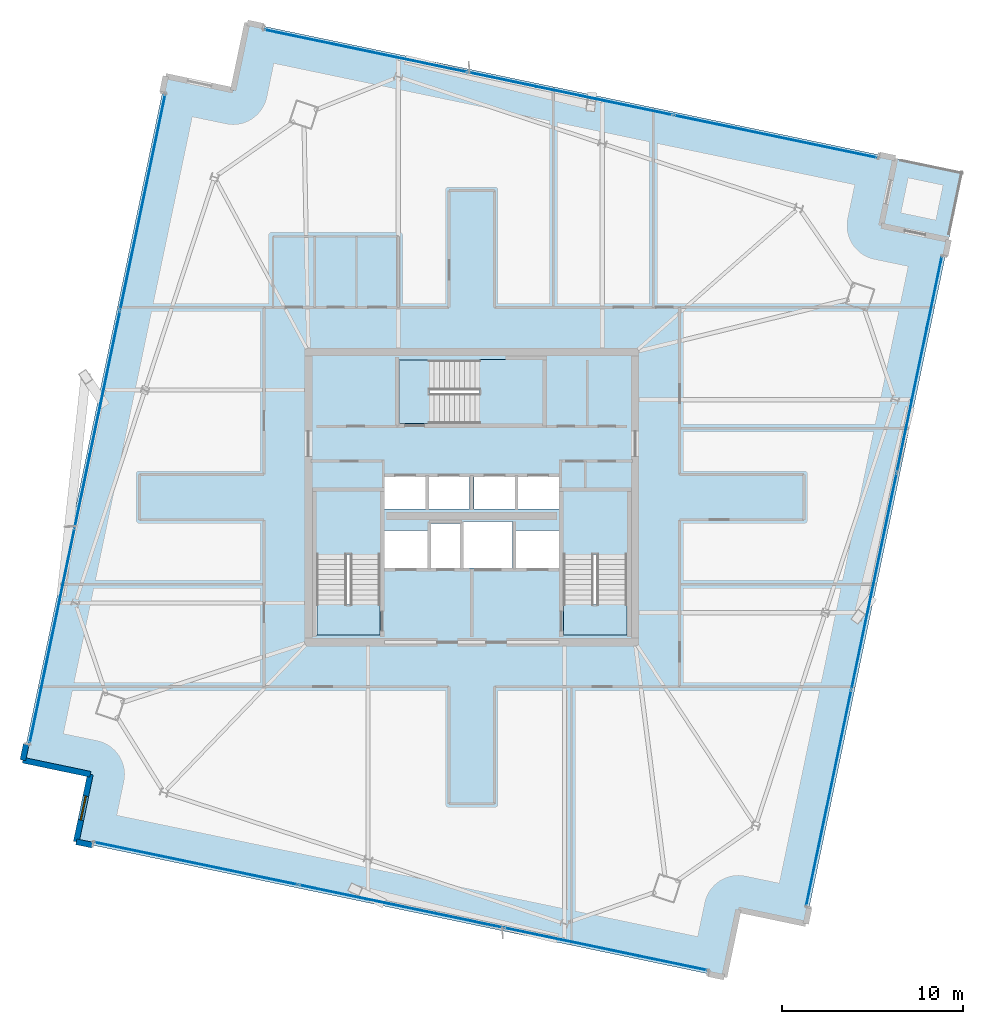
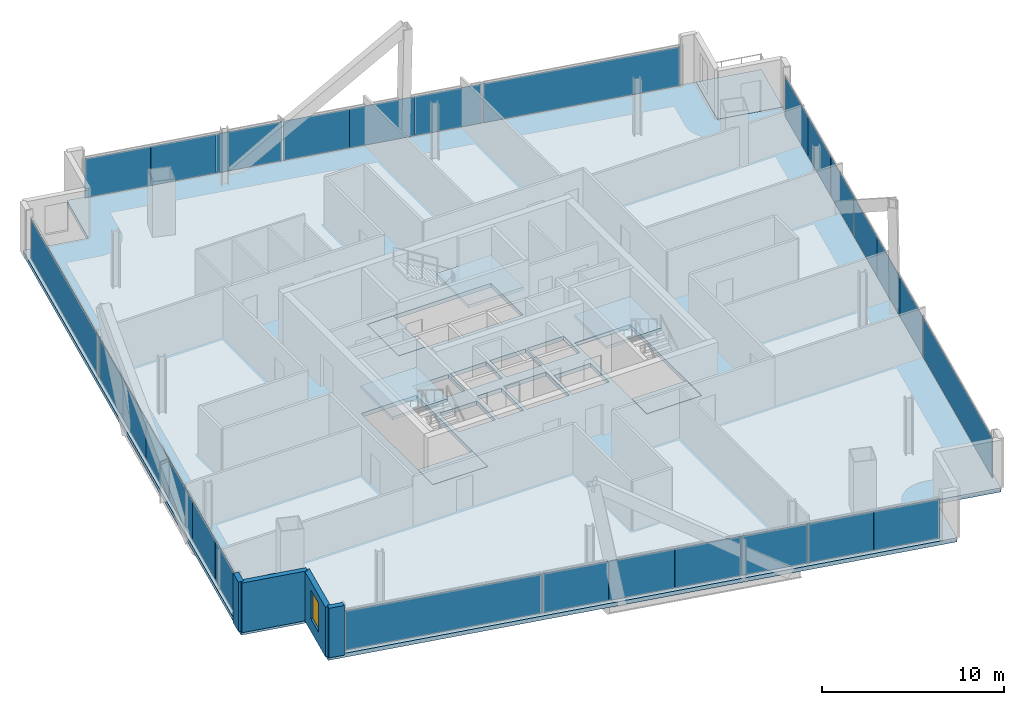
# One storey, part 17 of 24: 28 plates, 8 slabs, 4 walls, 1 window, 1 opening, 7 elements without a shape of their own.
"""IFC4 building model written with IfcOpenShell, lengths in metres."""

from ifc_helpers import new_model, si_unit, direction, frame, frame_2d, origin, origin_2d, place, context, subcontext, project, spatial, polyline, rectangle, outline, extrude, source, transform, mapped, material, layer, layer_set, type_object, element, fill, aggregate, save


model = new_model("IFC4")

# Units and contexts
model_context = context("Model", 3, precision=1e-05, world=origin(), true_north=direction((0.0, 1.0)))
body_context = subcontext(model_context, "Body", "Model", "MODEL_VIEW")
ifc_project = project(units=[si_unit("LENGTHUNIT", "METRE"), si_unit("AREAUNIT", "SQUARE_METRE"), si_unit("VOLUMEUNIT", "CUBIC_METRE"), si_unit("PLANEANGLEUNIT", "RADIAN"), si_unit("MASSUNIT", "GRAM", prefix="KILO")], contexts=[model_context])

# Site, building, storey
site_placement = place(None, origin())
site = spatial("IfcSite", under=ifc_project, at=site_placement, CompositionType="ELEMENT")
building_placement = place(site_placement, origin())
building = spatial("IfcBuilding", under=site, at=building_placement, Name="Haldenkirk Collegiate Tower", CompositionType="ELEMENT")
storey_placement = place(building_placement, frame((0.0, 0.0, 289.949951171875)))
storey = spatial("IfcBuildingStorey", under=building, at=storey_placement, Name="L73", CompositionType="ELEMENT", Elevation=289.949951171875)

# Slab
ifc_material_1 = material(Name="Concrete f'c 40 MPa", Category="concrete")
ifc_layer_1 = layer(ifc_material_1, 0.27001953125)
ifc_layer_set_1 = layer_set([ifc_layer_1], Name="Concrete f'c 40 MPa")
slab_type_1 = type_object("IfcSlabType", Name="SLB-FLR-270", PredefinedType="FLOOR", material=ifc_layer_set_1)
slab_1_placement = place(storey_placement, frame((0.0, 0.0, -0.27001953125)))
element("IfcSlab", 1, at=slab_1_placement, inside=storey, type_object=slab_type_1, Name="L73 composite structural floor slab", PredefinedType="FLOOR", context=body_context, shape_type="SweptSolid", body=[
    extrude(outline(polyline([(54.406005859375, 2.4892578125), (62.279296875, 40.175537109375), (58.5595703125, 40.95263671875), (59.336669921875, 44.67236328125), (23.63232421875, 52.13134765625), (22.855224609375, 48.41162109375), (19.135498046875, 49.188720703125), (11.262451171875, 11.502197265625), (14.982177734375, 10.725341796875), (14.205078125, 7.005615234375), (49.9091796875, -0.453369140625), (50.686279296875, 3.266357421875), (54.406005859375, 2.4892578125)]), holes=[polyline([(27.449951171875, 18.39990234375), (30.949951171875, 18.39990234375), (30.949951171875, 26.300048828125), (27.449951171875, 26.300048828125), (27.449951171875, 18.39990234375)]), polyline([(41.050048828125, 18.39990234375), (44.550048828125, 18.39990234375), (44.550048828125, 26.300048828125), (41.050048828125, 26.300048828125), (41.050048828125, 18.39990234375)]), polyline([(32.0, 30.050048828125), (39.89990234375, 30.050048828125), (39.89990234375, 33.550048828125), (32.0, 33.550048828125), (32.0, 30.050048828125)]), polyline([(33.75, 22.10009765625), (35.35009765625, 22.10009765625), (35.35009765625, 24.550048828125), (33.75, 24.550048828125), (33.75, 22.10009765625)]), polyline([(31.199951171875, 25.35009765625), (33.47998046875, 25.35009765625), (33.47998046875, 27.14990234375), (31.199951171875, 27.14990234375), (31.199951171875, 25.35009765625)]), polyline([(33.60009765625, 25.35009765625), (35.8798828125, 25.35009765625), (35.8798828125, 27.14990234375), (33.60009765625, 27.14990234375), (33.60009765625, 25.35009765625)]), polyline([(36.1201171875, 25.35009765625), (38.39990234375, 25.35009765625), (38.39990234375, 27.14990234375), (36.1201171875, 27.14990234375), (36.1201171875, 25.35009765625)]), polyline([(38.52001953125, 25.35009765625), (40.800048828125, 25.35009765625), (40.800048828125, 27.14990234375), (38.52001953125, 27.14990234375), (38.52001953125, 25.35009765625)]), polyline([(31.199951171875, 22.10009765625), (33.550048828125, 22.10009765625), (33.550048828125, 24.14990234375), (31.199951171875, 24.14990234375), (31.199951171875, 22.10009765625)]), polyline([(38.449951171875, 22.10009765625), (40.800048828125, 22.10009765625), (40.800048828125, 24.14990234375), (38.449951171875, 24.14990234375), (38.449951171875, 22.10009765625)]), polyline([(35.550048828125, 22.10009765625), (38.25, 22.10009765625), (38.25, 24.64990234375), (35.550048828125, 24.64990234375), (35.550048828125, 22.10009765625)])]), origin(), (0.0, 0.0, 1.0), 0.27001953125),
])

# Stair, slab
stair_type = type_object("IfcStairType", Name="STR-DOGLEG-1650", PredefinedType="HALF_TURN_STAIR", material=ifc_material_1)
stair_1_placement = place(storey_placement, origin())
stair_1 = element("IfcStair", 2, at=stair_1_placement, inside=storey, type_object=stair_type, Name="L73 Core Exit Stair ST-1", PredefinedType="HALF_TURN_STAIR")
ifc_layer_2 = layer(ifc_material_1, 0.199951171875)
ifc_layer_set_2 = layer_set([ifc_layer_2], Name="Concrete f'c 40 MPa")
slab_type_2 = type_object("IfcSlabType", Name="SLB-LANDING-200", PredefinedType="LANDING", material=ifc_layer_set_2)
slab_2_placement = place(storey_placement, frame((0.0, 0.0, 1.675048828125)))
slab_2 = element("IfcSlab", 3, at=slab_2_placement, type_object=slab_type_2, Name="ST-1 landing 1", PredefinedType="LANDING", context=body_context, shape_type="SweptSolid", body=[
    extrude(outline(polyline([(30.97509765625, 22.824951171875), (27.425048828125, 22.824951171875), (27.425048828125, 26.324951171875), (30.97509765625, 26.324951171875), (30.97509765625, 22.824951171875)])), origin(), (0.0, 0.0, 1.0), 0.199951171875),
])
aggregate(stair_1, [slab_2])

stair_2_placement = place(storey_placement, origin())
stair_2 = element("IfcStair", 4, at=stair_2_placement, inside=storey, type_object=stair_type, Name="L73 Core Exit Stair ST-2", PredefinedType="HALF_TURN_STAIR")
slab_3_placement = place(storey_placement, frame((0.0, 0.0, 1.675048828125)))
slab_3 = element("IfcSlab", 5, at=slab_3_placement, type_object=slab_type_2, Name="ST-2 landing 1", PredefinedType="LANDING", context=body_context, shape_type="SweptSolid", body=[
    extrude(outline(polyline([(44.574951171875, 22.824951171875), (41.02490234375, 22.824951171875), (41.02490234375, 26.324951171875), (44.574951171875, 26.324951171875), (44.574951171875, 22.824951171875)])), origin(), (0.0, 0.0, 1.0), 0.199951171875),
])
aggregate(stair_2, [slab_3])

stair_3_placement = place(storey_placement, origin())
stair_3 = element("IfcStair", 6, at=stair_3_placement, inside=storey, type_object=stair_type, Name="L73 Core Exit Stair ST-3", PredefinedType="HALF_TURN_STAIR")
slab_4_placement = place(storey_placement, frame((0.0, 0.0, 1.675048828125)))
slab_4 = element("IfcSlab", 7, at=slab_4_placement, type_object=slab_type_2, Name="ST-3 landing 1", PredefinedType="LANDING", context=body_context, shape_type="SweptSolid", body=[
    extrude(outline(polyline([(36.425048828125, 30.02490234375), (36.425048828125, 33.574951171875), (39.925048828125, 33.574951171875), (39.925048828125, 30.02490234375), (36.425048828125, 30.02490234375)])), origin(), (0.0, 0.0, 1.0), 0.199951171875),
])
aggregate(stair_3, [slab_4])

# Slabs
ifc_layer_3 = layer(ifc_material_1, 0.25)
ifc_layer_set_3 = layer_set([ifc_layer_3], Name="Concrete f'c 40 MPa")
slab_type_3 = type_object("IfcSlabType", Name="SLB-STAIRLAND-250", PredefinedType="LANDING", material=ifc_layer_set_3)
slab_5_placement = place(storey_placement, frame((0.0, 0.0, -0.25)))
element("IfcSlab", 8, at=slab_5_placement, inside=storey, type_object=slab_type_3, Name="L73 stair ST1 structural floor landing slab", PredefinedType="LANDING", context=body_context, shape_type="SweptSolid", body=[
    extrude(outline(polyline([(27.4599609375, 18.409912109375), (30.93994140625, 18.409912109375), (30.93994140625, 20.080078125), (27.4599609375, 20.080078125), (27.4599609375, 18.409912109375)])), origin(), (0.0, 0.0, 1.0), 0.25),
])
slab_6_placement = place(storey_placement, frame((0.0, 0.0, -0.25)))
element("IfcSlab", 9, at=slab_6_placement, inside=storey, type_object=slab_type_3, Name="L73 stair ST2 structural floor landing slab", PredefinedType="LANDING", context=body_context, shape_type="SweptSolid", body=[
    extrude(outline(polyline([(41.06005859375, 18.409912109375), (44.5400390625, 18.409912109375), (44.5400390625, 20.080078125), (41.06005859375, 20.080078125), (41.06005859375, 18.409912109375)])), origin(), (0.0, 0.0, 1.0), 0.25),
])
slab_7_placement = place(storey_placement, frame((0.0, 0.0, -0.25)))
element("IfcSlab", 10, at=slab_7_placement, inside=storey, type_object=slab_type_3, Name="L73 stair ST3 structural floor landing slab", PredefinedType="LANDING", context=body_context, shape_type="SweptSolid", body=[
    extrude(outline(polyline([(32.010009765625, 30.06005859375), (33.679931640625, 30.06005859375), (33.679931640625, 33.5400390625), (32.010009765625, 33.5400390625), (32.010009765625, 30.06005859375)])), origin(), (0.0, 0.0, 1.0), 0.25),
])
ifc_layer_4 = layer(ifc_material_1, 0.22998046875)
ifc_layer_set_4 = layer_set([ifc_layer_4], Name="Concrete f'c 40 MPa")
slab_type_4 = type_object("IfcSlabType", Name="SLB-TERR-SPIRAL-230", PredefinedType="FLOOR", material=ifc_layer_set_4)
slab_8_placement = place(storey_placement, frame((0.0, 0.0, -0.22998046875)))
element("IfcSlab", 11, at=slab_8_placement, inside=storey, type_object=slab_type_4, Name="L73 spiralling corner terrace slab", PredefinedType="FLOOR", context=body_context, shape_type="SweptSolid", body=[
    extrude(outline(polyline([(62.279296875, 40.175537109375), (63.056396484375, 43.895263671875), (59.336669921875, 44.67236328125), (58.5595703125, 40.95263671875), (62.279296875, 40.175537109375)])), origin(), (0.0, 0.0, 1.0), 0.22998046875),
])

# Curtain wall, plates
ifc_material_2 = material(Name="Anodised architectural bronze aluminium", Category="aluminium")
curtain_wall_type_1 = type_object("IfcCurtainWallType", Name="CW-SYS2-CONCAVE", PredefinedType="USERDEFINED", material=ifc_material_2)
curtain_wall_1_placement = place(storey_placement, origin())
curtain_wall_1 = element("IfcCurtainWall", 12, at=curtain_wall_1_placement, inside=storey, type_object=curtain_wall_type_1, Name="L73 South concave recessed bronze-anodised curtain wall", ObjectType="UNITISED CURTAIN WALL", PredefinedType="USERDEFINED")
ifc_material_3 = material(Name="Low-E argon triple insulating glass", Category="glass")
ifc_layer_5 = layer(ifc_material_3, 0.0419921875)
ifc_layer_set_5 = layer_set([ifc_layer_5], Name="Low-E argon triple insulating glass")
plate_type_1 = type_object("IfcPlateType", Name="CW-PNL-02", PredefinedType="CURTAIN_PANEL", material=ifc_layer_set_5)
shared_shape_1 = source(origin(), body_context, "Body", "SweptSolid", [
    extrude(rectangle(XDim=4.02783203125, YDim=0.0419921875, at=origin_2d()), origin(), (0.0, 0.0, 1.0), 2.64794921875),
])
plate_1_placement = place(storey_placement, frame((61.49169921875, 37.28662109375, 0.0751953125), z_axis=(0.0, 0.0, 1.0), x_axis=(-0.204498710371, -0.978866833362, 0.0)))
plate_1 = element("IfcPlate", 13, at=plate_1_placement, type_object=plate_type_1, Name="CW-02 panel 1.1a", PredefinedType="CURTAIN_PANEL", context=body_context, shape_type="MappedRepresentation", body=[
    mapped(shared_shape_1, transform((0.0, 0.0, 0.0), x_axis=(1.0, 0.0, 0.0), y_axis=(0.0, 1.0, 0.0), z_axis=(0.0, 0.0, 1.0), scale=1.0)),
])
ifc_material_4 = material(Name="Bronze-anodised insulated aluminium spandrel panel", Category="aluminium")
ifc_layer_6 = layer(ifc_material_4, 0.0419921875)
ifc_layer_set_6 = layer_set([ifc_layer_6], Name="Bronze-anodised insulated aluminium spandrel panel")
plate_type_2 = type_object("IfcPlateType", Name="CW-SPD-02", PredefinedType="CURTAIN_PANEL", material=ifc_layer_set_6)
plate_2_placement = place(storey_placement, frame((59.8369140625, 29.364501953125, 0.0751953125), z_axis=(0.0, 0.0, 1.0), x_axis=(-0.204498710371, -0.978866833362, 0.0)))
plate_2 = element("IfcPlate", 14, at=plate_2_placement, type_object=plate_type_2, Name="CW-02 spandrel panel 1.1c", PredefinedType="CURTAIN_PANEL", context=body_context, shape_type="MappedRepresentation", body=[
    mapped(shared_shape_1, transform((0.0, 0.0, 0.0), x_axis=(1.0, 0.0, 0.0), y_axis=(0.0, 1.0, 0.0), z_axis=(0.0, 0.0, 1.0), scale=1.0)),
])
plate_3_placement = place(storey_placement, frame((58.16650390625, 21.369140625, 0.0751953125), z_axis=(0.0, 0.0, 1.0), x_axis=(-0.204498710371, -0.978866833362, 0.0)))
plate_3 = element("IfcPlate", 15, at=plate_3_placement, type_object=plate_type_2, Name="CW-02 spandrel panel 2.1b", PredefinedType="CURTAIN_PANEL", context=body_context, shape_type="MappedRepresentation", body=[
    mapped(shared_shape_1, transform((0.0, 0.0, 0.0), x_axis=(1.0, 0.0, 0.0), y_axis=(0.0, 1.0, 0.0), z_axis=(0.0, 0.0, 1.0), scale=1.0)),
])
shared_shape_2 = source(origin(), body_context, "Body", "SweptSolid", [
    extrude(rectangle(XDim=4.015380859375, YDim=0.0419921875, at=origin_2d()), origin(), (0.0, 0.0, 1.0), 2.64794921875),
])
plate_4_placement = place(storey_placement, frame((60.664306640625, 33.32568359375, 0.0751953125), z_axis=(0.0, 0.0, 1.0), x_axis=(-0.204498710371, -0.978866833362, 0.0)))
plate_4 = element("IfcPlate", 16, at=plate_4_placement, type_object=plate_type_1, Name="CW-02 panel 1.1b", PredefinedType="CURTAIN_PANEL", context=body_context, shape_type="MappedRepresentation", body=[
    mapped(shared_shape_2, transform((0.0, 0.0, 0.0), x_axis=(1.0, 0.0, 0.0), y_axis=(0.0, 1.0, 0.0), z_axis=(0.0, 0.0, 1.0), scale=1.0)),
])
shared_shape_3 = source(origin(), body_context, "Body", "SweptSolid", [
    extrude(rectangle(XDim=4.040283203125, YDim=0.0419921875, at=origin_2d()), origin(), (0.0, 0.0, 1.0), 2.64794921875),
])
plate_5_placement = place(storey_placement, frame((58.99658203125, 25.34228515625, 0.0751953125), z_axis=(0.0, 0.0, 1.0), x_axis=(-0.204498710371, -0.978866833362, 0.0)))
plate_5 = element("IfcPlate", 17, at=plate_5_placement, type_object=plate_type_2, Name="CW-02 spandrel panel 2.1a", PredefinedType="CURTAIN_PANEL", context=body_context, shape_type="MappedRepresentation", body=[
    mapped(shared_shape_3, transform((0.0, 0.0, 0.0), x_axis=(1.0, 0.0, 0.0), y_axis=(0.0, 1.0, 0.0), z_axis=(0.0, 0.0, 1.0), scale=1.0)),
])
plate_6_placement = place(storey_placement, frame((57.33642578125, 17.39599609375, 0.0751953125), z_axis=(0.0, 0.0, 1.0), x_axis=(-0.204498710371, -0.978866833362, 0.0)))
plate_6 = element("IfcPlate", 18, at=plate_6_placement, type_object=plate_type_2, Name="CW-02 spandrel panel 2.1c", PredefinedType="CURTAIN_PANEL", context=body_context, shape_type="MappedRepresentation", body=[
    mapped(shared_shape_3, transform((0.0, 0.0, 0.0), x_axis=(1.0, 0.0, 0.0), y_axis=(0.0, 1.0, 0.0), z_axis=(0.0, 0.0, 1.0), scale=1.0)),
])
shared_shape_4 = source(origin(), body_context, "Body", "SweptSolid", [
    extrude(rectangle(XDim=12.120849609375, YDim=0.0419921875, at=origin_2d()), origin(), (0.0, 0.0, 1.0), 2.64794921875),
])
plate_7_placement = place(storey_placement, frame((55.668701171875, 9.412841796875, 0.0751953125), z_axis=(0.0, 0.0, 1.0), x_axis=(-0.204498710371, -0.978866833362, 0.0)))
plate_7 = element("IfcPlate", 19, at=plate_7_placement, type_object=plate_type_1, Name="CW-02 panel 3.1", PredefinedType="CURTAIN_PANEL", context=body_context, shape_type="MappedRepresentation", body=[
    mapped(shared_shape_4, transform((0.0, 0.0, 0.0), x_axis=(1.0, 0.0, 0.0), y_axis=(0.0, 1.0, 0.0), z_axis=(0.0, 0.0, 1.0), scale=1.0)),
])
aggregate(curtain_wall_1, [plate_1, plate_4, plate_2, plate_5, plate_3, plate_6, plate_7])

curtain_wall_type_2 = type_object("IfcCurtainWallType", Name="CW-SYS1B-CONVEX-HI", PredefinedType="USERDEFINED", material=ifc_material_2)
curtain_wall_2_placement = place(storey_placement, origin())
curtain_wall_2 = element("IfcCurtainWall", 20, at=curtain_wall_2_placement, inside=storey, type_object=curtain_wall_type_2, Name="L73 Upper tower high-wind convex bronze unitised curtain wall", ObjectType="UNITISED CURTAIN WALL", PredefinedType="USERDEFINED")
ifc_layer_7 = layer(ifc_material_3, 0.048095703125)
ifc_layer_set_7 = layer_set([ifc_layer_7], Name="Low-E argon triple insulating glass")
plate_type_3 = type_object("IfcPlateType", Name="CW-PNL-1B", PredefinedType="CURTAIN_PANEL", material=ifc_layer_set_7)
shared_shape_5 = source(origin(), body_context, "Body", "SweptSolid", [
    extrude(rectangle(XDim=3.7978515625, YDim=0.048095703125, at=origin_2d()), origin(), (0.0, 0.0, 1.0), 2.6279296875),
])
plate_8_placement = place(storey_placement, frame((26.418701171875, 51.365478515625, 0.085205078125), z_axis=(0.0, 0.0, 1.0), x_axis=(0.978867360005, -0.204496189491, 0.0)))
plate_8 = element("IfcPlate", 21, at=plate_8_placement, type_object=plate_type_3, Name="CW-1B panel 1.1a", PredefinedType="CURTAIN_PANEL", context=body_context, shape_type="MappedRepresentation", body=[
    mapped(shared_shape_5, transform((0.0, 0.0, 0.0), x_axis=(1.0, 0.0, 0.0), y_axis=(0.0, 1.0, 0.0), z_axis=(0.0, 0.0, 1.0), scale=1.0)),
])
ifc_layer_8 = layer(ifc_material_4, 0.048095703125)
ifc_layer_set_8 = layer_set([ifc_layer_8], Name="Bronze-anodised insulated aluminium spandrel panel")
plate_type_4 = type_object("IfcPlateType", Name="CW-SPD-1B", PredefinedType="CURTAIN_PANEL", material=ifc_layer_set_8)
plate_9_placement = place(storey_placement, frame((33.890380859375, 49.804443359375, 0.085205078125), z_axis=(0.0, 0.0, 1.0), x_axis=(0.978867360005, -0.204496189491, 0.0)))
plate_9 = element("IfcPlate", 22, at=plate_9_placement, type_object=plate_type_4, Name="CW-1B spandrel panel 1.1c", PredefinedType="CURTAIN_PANEL", context=body_context, shape_type="MappedRepresentation", body=[
    mapped(shared_shape_5, transform((0.0, 0.0, 0.0), x_axis=(1.0, 0.0, 0.0), y_axis=(0.0, 1.0, 0.0), z_axis=(0.0, 0.0, 1.0), scale=1.0)),
])

curtain_wall_3_placement = place(storey_placement, origin())
curtain_wall_3 = element("IfcCurtainWall", 23, at=curtain_wall_3_placement, inside=storey, type_object=curtain_wall_type_2, Name="L73 Upper tower high-wind convex bronze unitised curtain wall", ObjectType="UNITISED CURTAIN WALL", PredefinedType="USERDEFINED")
plate_10_placement = place(storey_placement, frame((47.123046875, 0.3125, 0.085205078125), z_axis=(0.0, 0.0, 1.0), x_axis=(-0.978866782712, 0.204498952816, 0.0)))
plate_10 = element("IfcPlate", 24, at=plate_10_placement, type_object=plate_type_3, Name="CW-1B panel 1.1a", PredefinedType="CURTAIN_PANEL", context=body_context, shape_type="MappedRepresentation", body=[
    mapped(shared_shape_5, transform((0.0, 0.0, 0.0), x_axis=(1.0, 0.0, 0.0), y_axis=(0.0, 1.0, 0.0), z_axis=(0.0, 0.0, 1.0), scale=1.0)),
])
plate_11_placement = place(storey_placement, frame((39.6513671875, 1.87353515625, 0.085205078125), z_axis=(0.0, 0.0, 1.0), x_axis=(-0.978866782712, 0.204498952816, 0.0)))
plate_11 = element("IfcPlate", 25, at=plate_11_placement, type_object=plate_type_4, Name="CW-1B spandrel panel 1.1c", PredefinedType="CURTAIN_PANEL", context=body_context, shape_type="MappedRepresentation", body=[
    mapped(shared_shape_5, transform((0.0, 0.0, 0.0), x_axis=(1.0, 0.0, 0.0), y_axis=(0.0, 1.0, 0.0), z_axis=(0.0, 0.0, 1.0), scale=1.0)),
])

# Plate
shared_shape_6 = source(origin(), body_context, "Body", "SweptSolid", [
    extrude(rectangle(XDim=3.785400390625, YDim=0.048095703125, at=origin_2d()), origin(), (0.0, 0.0, 1.0), 2.6279296875),
])
plate_12_placement = place(storey_placement, frame((30.154296875, 50.5849609375, 0.085205078125), z_axis=(0.0, 0.0, 1.0), x_axis=(0.978867360005, -0.204496189491, 0.0)))
plate_12 = element("IfcPlate", 26, at=plate_12_placement, type_object=plate_type_3, Name="CW-1B panel 1.1b", PredefinedType="CURTAIN_PANEL", context=body_context, shape_type="MappedRepresentation", body=[
    mapped(shared_shape_6, transform((0.0, 0.0, 0.0), x_axis=(1.0, 0.0, 0.0), y_axis=(0.0, 1.0, 0.0), z_axis=(0.0, 0.0, 1.0), scale=1.0)),
])

plate_13_placement = place(storey_placement, frame((43.38720703125, 1.093017578125, 0.085205078125), z_axis=(0.0, 0.0, 1.0), x_axis=(-0.978866782712, 0.204498952816, 0.0)))
plate_13 = element("IfcPlate", 27, at=plate_13_placement, type_object=plate_type_3, Name="CW-1B panel 1.1b", PredefinedType="CURTAIN_PANEL", context=body_context, shape_type="MappedRepresentation", body=[
    mapped(shared_shape_6, transform((0.0, 0.0, 0.0), x_axis=(1.0, 0.0, 0.0), y_axis=(0.0, 1.0, 0.0), z_axis=(0.0, 0.0, 1.0), scale=1.0)),
])

shared_shape_7 = source(origin(), body_context, "Body", "SweptSolid", [
    extrude(rectangle(XDim=3.81201171875, YDim=0.048095703125, at=origin_2d()), origin(), (0.0, 0.0, 1.0), 2.6279296875),
])
plate_14_placement = place(storey_placement, frame((37.697998046875, 49.009033203125, 0.085205078125), z_axis=(0.0, 0.0, 1.0), x_axis=(0.978867360005, -0.204496189491, 0.0)))
plate_14 = element("IfcPlate", 28, at=plate_14_placement, type_object=plate_type_4, Name="CW-1B spandrel panel 2.1a", PredefinedType="CURTAIN_PANEL", context=body_context, shape_type="MappedRepresentation", body=[
    mapped(shared_shape_7, transform((0.0, 0.0, 0.0), x_axis=(1.0, 0.0, 0.0), y_axis=(0.0, 1.0, 0.0), z_axis=(0.0, 0.0, 1.0), scale=1.0)),
])

plate_15_placement = place(storey_placement, frame((45.197509765625, 47.4423828125, 0.085205078125), z_axis=(0.0, 0.0, 1.0), x_axis=(0.978867360005, -0.204496189491, 0.0)))
plate_15 = element("IfcPlate", 29, at=plate_15_placement, type_object=plate_type_3, Name="CW-1B panel 2.1c", PredefinedType="CURTAIN_PANEL", context=body_context, shape_type="MappedRepresentation", body=[
    mapped(shared_shape_7, transform((0.0, 0.0, 0.0), x_axis=(1.0, 0.0, 0.0), y_axis=(0.0, 1.0, 0.0), z_axis=(0.0, 0.0, 1.0), scale=1.0)),
])

plate_16_placement = place(storey_placement, frame((35.84375, 2.6689453125, 0.085205078125), z_axis=(0.0, 0.0, 1.0), x_axis=(-0.978866782712, 0.204498952816, 0.0)))
plate_16 = element("IfcPlate", 30, at=plate_16_placement, type_object=plate_type_4, Name="CW-1B spandrel panel 2.1a", PredefinedType="CURTAIN_PANEL", context=body_context, shape_type="MappedRepresentation", body=[
    mapped(shared_shape_7, transform((0.0, 0.0, 0.0), x_axis=(1.0, 0.0, 0.0), y_axis=(0.0, 1.0, 0.0), z_axis=(0.0, 0.0, 1.0), scale=1.0)),
])

plate_17_placement = place(storey_placement, frame((28.34423828125, 4.235595703125, 0.085205078125), z_axis=(0.0, 0.0, 1.0), x_axis=(-0.978866782712, 0.204498952816, 0.0)))
plate_17 = element("IfcPlate", 31, at=plate_17_placement, type_object=plate_type_4, Name="CW-1B spandrel panel 2.1c", PredefinedType="CURTAIN_PANEL", context=body_context, shape_type="MappedRepresentation", body=[
    mapped(shared_shape_7, transform((0.0, 0.0, 0.0), x_axis=(1.0, 0.0, 0.0), y_axis=(0.0, 1.0, 0.0), z_axis=(0.0, 0.0, 1.0), scale=1.0)),
])

shared_shape_8 = source(origin(), body_context, "Body", "SweptSolid", [
    extrude(rectangle(XDim=3.79931640625, YDim=0.048095703125, at=origin_2d()), origin(), (0.0, 0.0, 1.0), 2.6279296875),
])
plate_18_placement = place(storey_placement, frame((41.44775390625, 48.2255859375, 0.085205078125), z_axis=(0.0, 0.0, 1.0), x_axis=(0.978867360005, -0.204496189491, 0.0)))
plate_18 = element("IfcPlate", 32, at=plate_18_placement, type_object=plate_type_4, Name="CW-1B spandrel panel 2.1b", PredefinedType="CURTAIN_PANEL", context=body_context, shape_type="MappedRepresentation", body=[
    mapped(shared_shape_8, transform((0.0, 0.0, 0.0), x_axis=(1.0, 0.0, 0.0), y_axis=(0.0, 1.0, 0.0), z_axis=(0.0, 0.0, 1.0), scale=1.0)),
])

plate_19_placement = place(storey_placement, frame((32.093994140625, 3.452392578125, 0.085205078125), z_axis=(0.0, 0.0, 1.0), x_axis=(-0.978866782712, 0.204498952816, 0.0)))
plate_19 = element("IfcPlate", 33, at=plate_19_placement, type_object=plate_type_4, Name="CW-1B spandrel panel 2.1b", PredefinedType="CURTAIN_PANEL", context=body_context, shape_type="MappedRepresentation", body=[
    mapped(shared_shape_8, transform((0.0, 0.0, 0.0), x_axis=(1.0, 0.0, 0.0), y_axis=(0.0, 1.0, 0.0), z_axis=(0.0, 0.0, 1.0), scale=1.0)),
])

shared_shape_9 = source(origin(), body_context, "Body", "SweptSolid", [
    extrude(rectangle(XDim=11.430908203125, YDim=0.048095703125, at=origin_2d()), origin(), (0.0, 0.0, 1.0), 2.6279296875),
])
plate_20_placement = place(storey_placement, frame((52.740966796875, 45.866455078125, 0.085205078125), z_axis=(0.0, 0.0, 1.0), x_axis=(0.978867360005, -0.204496189491, 0.0)))
plate_20 = element("IfcPlate", 34, at=plate_20_placement, type_object=plate_type_3, Name="CW-1B panel 3.1", PredefinedType="CURTAIN_PANEL", context=body_context, shape_type="MappedRepresentation", body=[
    mapped(shared_shape_9, transform((0.0, 0.0, 0.0), x_axis=(1.0, 0.0, 0.0), y_axis=(0.0, 1.0, 0.0), z_axis=(0.0, 0.0, 1.0), scale=1.0)),
])

aggregate(curtain_wall_2, [plate_8, plate_12, plate_9, plate_14, plate_18, plate_15, plate_20])

plate_21_placement = place(storey_placement, frame((20.80078125, 5.8115234375, 0.085205078125), z_axis=(0.0, 0.0, 1.0), x_axis=(-0.978866782712, 0.204498952816, 0.0)))
plate_21 = element("IfcPlate", 35, at=plate_21_placement, type_object=plate_type_3, Name="CW-1B panel 3.1", PredefinedType="CURTAIN_PANEL", context=body_context, shape_type="MappedRepresentation", body=[
    mapped(shared_shape_9, transform((0.0, 0.0, 0.0), x_axis=(1.0, 0.0, 0.0), y_axis=(0.0, 1.0, 0.0), z_axis=(0.0, 0.0, 1.0), scale=1.0)),
])

aggregate(curtain_wall_3, [plate_10, plate_13, plate_11, plate_16, plate_19, plate_17, plate_21])

# Curtain wall, plates
curtain_wall_4_placement = place(storey_placement, origin())
curtain_wall_4 = element("IfcCurtainWall", 36, at=curtain_wall_4_placement, inside=storey, type_object=curtain_wall_type_2, Name="L73 Upper tower high-wind convex bronze unitised curtain wall", ObjectType="UNITISED CURTAIN WALL", PredefinedType="USERDEFINED")
shared_shape_10 = source(origin(), body_context, "Body", "SweptSolid", [
    extrude(rectangle(XDim=4.022705078125, YDim=0.048095703125, at=origin_2d()), origin(), (0.0, 0.0, 1.0), 2.6279296875),
])
plate_22_placement = place(storey_placement, frame((12.051513671875, 14.398681640625, 0.085205078125), z_axis=(0.0, 0.0, 1.0), x_axis=(0.204498710371, 0.978866833362, 0.0)))
plate_22 = element("IfcPlate", 37, at=plate_22_placement, type_object=plate_type_3, Name="CW-1B panel 1.1a", PredefinedType="CURTAIN_PANEL", context=body_context, shape_type="MappedRepresentation", body=[
    mapped(shared_shape_10, transform((0.0, 0.0, 0.0), x_axis=(1.0, 0.0, 0.0), y_axis=(0.0, 1.0, 0.0), z_axis=(0.0, 0.0, 1.0), scale=1.0)),
])
plate_23_placement = place(storey_placement, frame((13.704345703125, 22.310791015625, 0.085205078125), z_axis=(0.0, 0.0, 1.0), x_axis=(0.204498710371, 0.978866833362, 0.0)))
plate_23 = element("IfcPlate", 38, at=plate_23_placement, type_object=plate_type_4, Name="CW-1B spandrel panel 1.1c", PredefinedType="CURTAIN_PANEL", context=body_context, shape_type="MappedRepresentation", body=[
    mapped(shared_shape_10, transform((0.0, 0.0, 0.0), x_axis=(1.0, 0.0, 0.0), y_axis=(0.0, 1.0, 0.0), z_axis=(0.0, 0.0, 1.0), scale=1.0)),
])
shared_shape_11 = source(origin(), body_context, "Body", "SweptSolid", [
    extrude(rectangle(XDim=4.01025390625, YDim=0.048095703125, at=origin_2d()), origin(), (0.0, 0.0, 1.0), 2.6279296875),
])
plate_24_placement = place(storey_placement, frame((12.8779296875, 18.354736328125, 0.085205078125), z_axis=(0.0, 0.0, 1.0), x_axis=(0.204498710371, 0.978866833362, 0.0)))
plate_24 = element("IfcPlate", 39, at=plate_24_placement, type_object=plate_type_3, Name="CW-1B panel 1.1b", PredefinedType="CURTAIN_PANEL", context=body_context, shape_type="MappedRepresentation", body=[
    mapped(shared_shape_11, transform((0.0, 0.0, 0.0), x_axis=(1.0, 0.0, 0.0), y_axis=(0.0, 1.0, 0.0), z_axis=(0.0, 0.0, 1.0), scale=1.0)),
])
shared_shape_12 = source(origin(), body_context, "Body", "SweptSolid", [
    extrude(rectangle(XDim=4.036865234375, YDim=0.048095703125, at=origin_2d()), origin(), (0.0, 0.0, 1.0), 2.6279296875),
])
plate_25_placement = place(storey_placement, frame((14.5458984375, 26.338623046875, 0.085205078125), z_axis=(0.0, 0.0, 1.0), x_axis=(0.204498710371, 0.978866833362, 0.0)))
plate_25 = element("IfcPlate", 40, at=plate_25_placement, type_object=plate_type_4, Name="CW-1B spandrel panel 2.1a", PredefinedType="CURTAIN_PANEL", context=body_context, shape_type="MappedRepresentation", body=[
    mapped(shared_shape_12, transform((0.0, 0.0, 0.0), x_axis=(1.0, 0.0, 0.0), y_axis=(0.0, 1.0, 0.0), z_axis=(0.0, 0.0, 1.0), scale=1.0)),
])
plate_26_placement = place(storey_placement, frame((16.20458984375, 34.27880859375, 0.085205078125), z_axis=(0.0, 0.0, 1.0), x_axis=(0.204498710371, 0.978866833362, 0.0)))
plate_26 = element("IfcPlate", 41, at=plate_26_placement, type_object=plate_type_3, Name="CW-1B panel 2.1c", PredefinedType="CURTAIN_PANEL", context=body_context, shape_type="MappedRepresentation", body=[
    mapped(shared_shape_12, transform((0.0, 0.0, 0.0), x_axis=(1.0, 0.0, 0.0), y_axis=(0.0, 1.0, 0.0), z_axis=(0.0, 0.0, 1.0), scale=1.0)),
])
shared_shape_13 = source(origin(), body_context, "Body", "SweptSolid", [
    extrude(rectangle(XDim=4.0244140625, YDim=0.048095703125, at=origin_2d()), origin(), (0.0, 0.0, 1.0), 2.6279296875),
])
plate_27_placement = place(storey_placement, frame((15.375244140625, 30.30859375, 0.085205078125), z_axis=(0.0, 0.0, 1.0), x_axis=(0.204498710371, 0.978866833362, 0.0)))
plate_27 = element("IfcPlate", 42, at=plate_27_placement, type_object=plate_type_4, Name="CW-1B spandrel panel 2.1b", PredefinedType="CURTAIN_PANEL", context=body_context, shape_type="MappedRepresentation", body=[
    mapped(shared_shape_13, transform((0.0, 0.0, 0.0), x_axis=(1.0, 0.0, 0.0), y_axis=(0.0, 1.0, 0.0), z_axis=(0.0, 0.0, 1.0), scale=1.0)),
])
shared_shape_14 = source(origin(), body_context, "Body", "SweptSolid", [
    extrude(rectangle(XDim=12.105712890625, YDim=0.048095703125, at=origin_2d()), origin(), (0.0, 0.0, 1.0), 2.6279296875),
])
plate_28_placement = place(storey_placement, frame((17.87255859375, 42.2626953125, 0.085205078125), z_axis=(0.0, 0.0, 1.0), x_axis=(0.204498710371, 0.978866833362, 0.0)))
plate_28 = element("IfcPlate", 43, at=plate_28_placement, type_object=plate_type_3, Name="CW-1B panel 3.1", PredefinedType="CURTAIN_PANEL", context=body_context, shape_type="MappedRepresentation", body=[
    mapped(shared_shape_14, transform((0.0, 0.0, 0.0), x_axis=(1.0, 0.0, 0.0), y_axis=(0.0, 1.0, 0.0), z_axis=(0.0, 0.0, 1.0), scale=1.0)),
])
aggregate(curtain_wall_4, [plate_22, plate_24, plate_23, plate_25, plate_27, plate_26, plate_28])

# Walls
ifc_material_5 = material(Name="Precast concrete f'c 40 MPa", Category="concrete")
ifc_layer_9 = layer(ifc_material_5, 0.320068359375)
ifc_layer_set_9 = layer_set([ifc_layer_9], Name="Precast concrete f'c 40 MPa")
wall_type = type_object("IfcWallType", Name="WL-EXT-TWR-320", PredefinedType="STANDARD", material=ifc_layer_set_9)
wall_1_placement = place(storey_placement, frame((11.262451171875, 11.502197265625, 0.0), z_axis=(0.0, 0.0, 1.0), x_axis=(0.204506608004, 0.978865183405, 0.0)))
element("IfcWall", 44, at=wall_1_placement, inside=storey, type_object=wall_type, Name="L73 precast corner pier NL", PredefinedType="STANDARD", context=body_context, shape_type="SweptSolid", body=[
    extrude(rectangle(XDim=0.900146484375, YDim=0.320068359375, at=frame_2d((0.4501953125, 0.0))), origin(), (0.0, 0.0, 1.0), 3.340087890625),
])
wall_2_placement = place(storey_placement, frame((14.982177734375, 10.725341796875, 0.0), z_axis=(0.0, 0.0, 1.0), x_axis=(-0.978879813472, 0.204436569078, 0.0)))
element("IfcWall", 45, at=wall_2_placement, inside=storey, type_object=wall_type, Name="L73 bronze precast notch wall 08", PredefinedType="STANDARD", context=body_context, shape_type="SweptSolid", body=[
    extrude(rectangle(XDim=3.800048828125, YDim=0.320068359375, at=frame_2d((1.89990234375, 0.0))), origin(), (0.0, 0.0, 1.0), 3.340087890625),
])

# Wall, opening, window
wall_3_placement = place(storey_placement, frame((14.205078125, 7.005615234375, 0.0), z_axis=(0.0, 0.0, 1.0), x_axis=(0.204498130493, 0.978866954506, 0.0)))
wall_3 = element("IfcWall", 46, at=wall_3_placement, inside=storey, type_object=wall_type, Name="L73 bronze precast notch wall 09", PredefinedType="STANDARD", context=body_context, shape_type="SweptSolid", body=[
    extrude(rectangle(XDim=3.800048828125, YDim=0.320068359375, at=frame_2d((1.89990234375, 0.0))), origin(), (0.0, 0.0, 1.0), 3.340087890625),
])
opening_placement = place(wall_3_placement, frame((1.22509765625, 0.0, 0.85009765625)))
opening = element("IfcOpeningElement", 47, at=opening_placement, cuts=wall_3, Name="Opening W-07", PredefinedType="OPENING", context=body_context, shape_type="SweptSolid", body=[
    extrude(rectangle(XDim=1.35009765625, YDim=1.949951171875, at=frame_2d((0.675048828125, 0.97509765625))), frame((0.0, 0.169921875, 0.0), z_axis=(0.0, -1.0, 0.0), x_axis=(1.0, 0.0, 0.0)), (0.0, 0.0, 1.0), 0.340087890625),
])
ifc_layer_10 = layer(ifc_material_3, 0.090087890625)
ifc_layer_set_10 = layer_set([ifc_layer_10], Name="Low-E argon triple insulating glass")
window_type = type_object("IfcWindowType", Name="WN-Z5-1350X1950", PartitioningType="SINGLE_PANEL", PredefinedType="WINDOW", material=ifc_layer_set_10)
window_placement = place(opening_placement, origin())
window = element("IfcWindow", 48, at=window_placement, inside=storey, type_object=window_type, Name="L73 precast-frame academic window 8", OverallHeight=1.949951171875, OverallWidth=1.35009765625, PartitioningType="SINGLE_PANEL", PredefinedType="WINDOW", context=body_context, shape_type="SweptSolid", body=[
    extrude(rectangle(XDim=1.35009765625, YDim=1.949951171875, at=frame_2d((0.675048828125, 0.97509765625))), frame((0.0, 0.030029296875, 0.0), z_axis=(0.0, -1.0, 0.0), x_axis=(1.0, 0.0, 0.0)), (0.0, 0.0, 1.0), 0.06005859375),
])
fill(opening, window)

# Wall
wall_4_placement = place(storey_placement, frame((15.086181640625, 6.821533203125, 0.0), z_axis=(0.0, 0.0, 1.0), x_axis=(-0.978865183405, 0.204506608004, 0.0)))
element("IfcWall", 49, at=wall_4_placement, inside=storey, type_object=wall_type, Name="L73 precast corner pier WR", PredefinedType="STANDARD", context=body_context, shape_type="SweptSolid", body=[
    extrude(rectangle(XDim=0.900146484375, YDim=0.320068359375, at=frame_2d((0.4501953125, 0.0))), origin(), (0.0, 0.0, 1.0), 3.340087890625),
])

save(model, "model.ifc")
